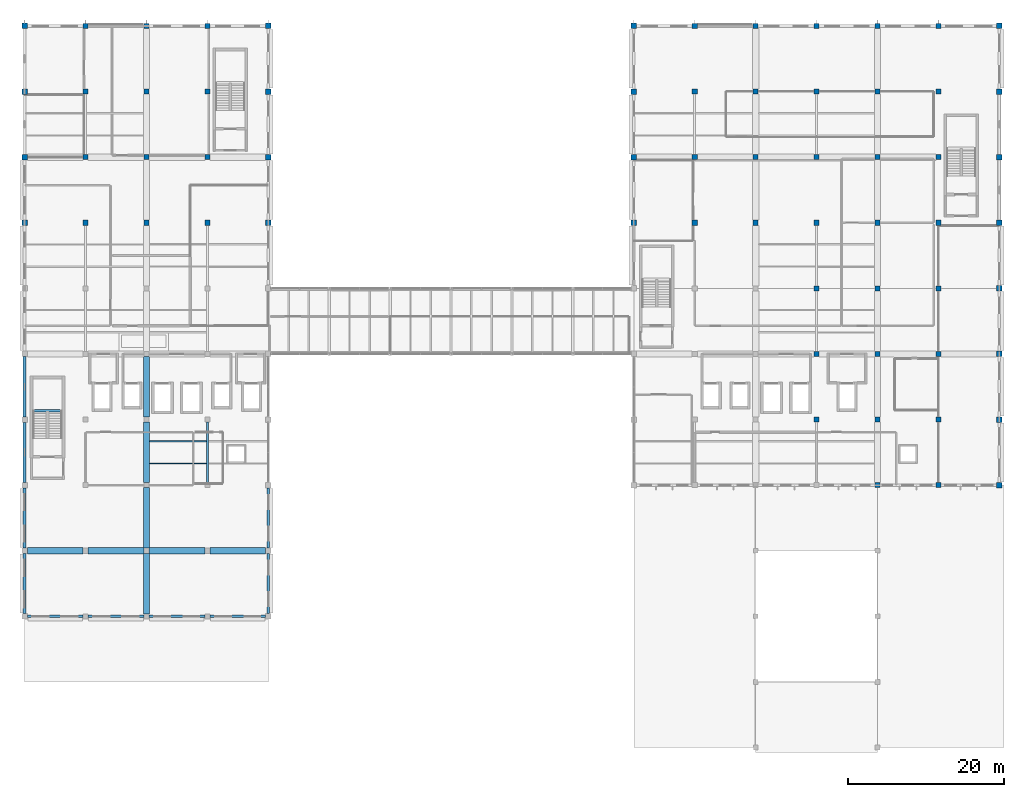
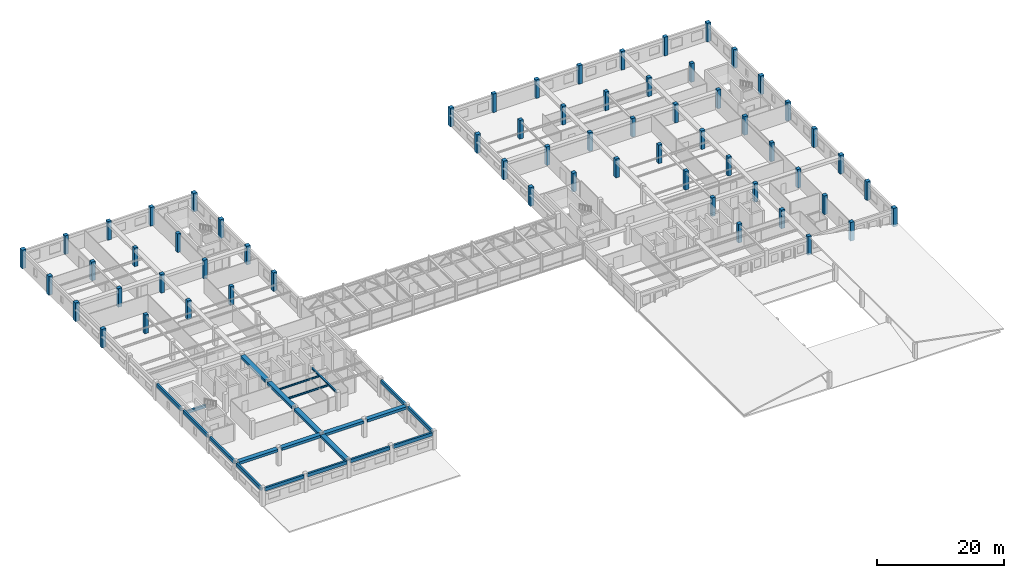
# One storey, part 5 of 49: 63 columns, 22 beams.
"""IFC4 building model written with IfcOpenShell, lengths in metres."""

from ifc_helpers import new_model, si_unit, direction, frame, origin, origin_2d, place, context, subcontext, project, spatial, rectangle, i_section, extrude, material, material_profile, profile_set, type_object, element, save


model = new_model("IFC4")

# Units and contexts
model_context = context("Model", 3, precision=1e-05, world=origin(), true_north=direction((0.0, 1.0)))
body_context = subcontext(model_context, "Body", "Model", "MODEL_VIEW")
ifc_project = project(units=[si_unit("LENGTHUNIT", "METRE"), si_unit("AREAUNIT", "SQUARE_METRE"), si_unit("VOLUMEUNIT", "CUBIC_METRE"), si_unit("PLANEANGLEUNIT", "RADIAN"), si_unit("MASSUNIT", "GRAM", prefix="KILO"), si_unit("THERMODYNAMICTEMPERATUREUNIT", "KELVIN"), si_unit("POWERUNIT", "WATT")], contexts=[model_context])

# Site, building, storey
site_placement = place(None, origin())
site = spatial("IfcSite", under=ifc_project, at=site_placement, CompositionType="ELEMENT")
building_placement = place(site_placement, origin())
building = spatial("IfcBuilding", under=site, at=building_placement, Name="Srebrne Nadtorze General Hospital", CompositionType="ELEMENT")
storey_placement = place(building_placement, frame((0.0, 0.0, 26.10009765625)))
storey = spatial("IfcBuildingStorey", under=building, at=storey_placement, Name="L06", CompositionType="ELEMENT", Elevation=26.10009765625)

# Columns
ifc_material_1 = material(Name="Concrete C35/45", Category="concrete")
ifc_material_profile_1 = material_profile(ifc_material_1, rectangle(XDim=0.64990234375, YDim=0.64990234375, at=origin_2d()), Name="RC-COL-650x650")
ifc_profile_set_1 = profile_set([ifc_material_profile_1], Name="Concrete C35/45")
column_type_1 = type_object("IfcColumnType", Name="Reinforced concrete column 650x650", PredefinedType="COLUMN", material=ifc_profile_set_1)
for number, where, z_axis, x_axis, name in (
    (1, (31.199951171875, 67.199951171875, 0.0), (0.0, 0.0, 1.0), (1.0, 0.0, 0.0), "Column CL-L06-5-J"),
    (2, (31.199951171875, 75.60009765625, 0.0), (0.0, 0.0, 1.0), (1.0, 0.0, 0.0), "Column CL-L06-5-K"),
    (3, (31.199951171875, 84.0, 0.0), (0.0, 0.0, 1.0), (1.0, 0.0, 0.0), "Column CL-L06-5-L"),
    (4, (31.199951171875, 92.39990234375, 0.0), (0.0, 0.0, 1.0), (1.0, 0.0, 0.0), "Column CL-L06-5-M"),
    (5, (39.0, 67.199951171875, 0.0), (0.0, 0.0, 1.0), (1.0, 0.0, 0.0), "Column CL-L06-6-J"),
    (6, (39.0, 75.60009765625, 0.0), (0.0, 0.0, 1.0), (1.0, 0.0, 0.0), "Column CL-L06-6-K"),
    (7, (39.0, 84.0, 0.0), (0.0, 0.0, 1.0), (1.0, 0.0, 0.0), "Column CL-L06-6-L"),
    (8, (39.0, 92.39990234375, 0.0), (0.0, 0.0, 1.0), (1.0, 0.0, 0.0), "Column CL-L06-6-M"),
    (9, (46.800048828125, 67.199951171875, 0.0), (0.0, 0.0, 1.0), (1.0, 0.0, 0.0), "Column CL-L06-7-J"),
    (10, (46.800048828125, 75.60009765625, 0.0), (0.0, 0.0, 1.0), (1.0, 0.0, 0.0), "Column CL-L06-7-K"),
    (11, (46.800048828125, 84.0, 0.0), (0.0, 0.0, 1.0), (1.0, 0.0, 0.0), "Column CL-L06-7-L"),
    (12, (46.800048828125, 92.39990234375, 0.0), (0.0, 0.0, 1.0), (1.0, 0.0, 0.0), "Column CL-L06-7-M"),
    (13, (109.199951171875, 67.199951171875, 0.0), (0.0, 0.0, 1.0), (1.0, 0.0, 0.0), "Column CL-L06-15-J"),
    (14, (109.199951171875, 75.60009765625, 0.0), (0.0, 0.0, 1.0), (1.0, 0.0, 0.0), "Column CL-L06-15-K"),
    (15, (109.199951171875, 84.0, 0.0), (0.0, 0.0, 1.0), (1.0, 0.0, 0.0), "Column CL-L06-15-L"),
    (16, (109.199951171875, 92.39990234375, 0.0), (0.0, 0.0, 1.0), (1.0, 0.0, 0.0), "Column CL-L06-15-M"),
    (17, (117.0, 67.199951171875, 0.0), (0.0, 0.0, 1.0), (1.0, 0.0, 0.0), "Column CL-L06-16-J"),
    (18, (117.0, 75.60009765625, 0.0), (0.0, 0.0, 1.0), (1.0, 0.0, 0.0), "Column CL-L06-16-K"),
    (19, (117.0, 84.0, 0.0), (0.0, 0.0, 1.0), (1.0, 0.0, 0.0), "Column CL-L06-16-L"),
    (20, (117.0, 92.39990234375, 0.0), (0.0, 0.0, 1.0), (1.0, 0.0, 0.0), "Column CL-L06-16-M"),
    (21, (124.800048828125, 42.0, 0.0), (0.0, 0.0, 1.0), (1.0, 0.0, 0.0), "Column CL-L06-17-F"),
    (22, (124.800048828125, 50.39990234375, 0.0), (0.0, 0.0, 1.0), (1.0, 0.0, 0.0), "Column CL-L06-17-G"),
    (23, (124.800048828125, 58.800048828125, 0.0), (0.0, 0.0, 1.0), (1.0, 0.0, 0.0), "Column CL-L06-17-H"),
    (24, (124.800048828125, 67.199951171875, 0.0), (0.0, 0.0, 1.0), (1.0, 0.0, 0.0), "Column CL-L06-17-J"),
    (25, (124.800048828125, 75.60009765625, 0.0), (0.0, 0.0, 1.0), (1.0, 0.0, 0.0), "Column CL-L06-17-K"),
    (26, (124.800048828125, 84.0, 0.0), (0.0, 0.0, 1.0), (1.0, 0.0, 0.0), "Column CL-L06-17-L"),
    (27, (124.800048828125, 92.39990234375, 0.0), (0.0, 0.0, 1.0), (1.0, 0.0, 0.0), "Column CL-L06-17-M"),
    (28, (132.60009765625, 33.60009765625, 0.0), (0.0, 0.0, 1.0), (1.0, 0.0, 0.0), "Column CL-L06-18-E"),
    (29, (132.60009765625, 42.0, 0.0), (0.0, 0.0, 1.0), (1.0, 0.0, 0.0), "Column CL-L06-18-F"),
    (30, (132.60009765625, 50.39990234375, 0.0), (0.0, 0.0, 1.0), (1.0, 0.0, 0.0), "Column CL-L06-18-G"),
    (31, (132.60009765625, 58.800048828125, 0.0), (0.0, 0.0, 1.0), (1.0, 0.0, 0.0), "Column CL-L06-18-H"),
    (32, (132.60009765625, 67.199951171875, 0.0), (0.0, 0.0, 1.0), (1.0, 0.0, 0.0), "Column CL-L06-18-J"),
    (33, (132.60009765625, 75.60009765625, 0.0), (0.0, 0.0, 1.0), (1.0, 0.0, 0.0), "Column CL-L06-18-K"),
    (34, (132.60009765625, 84.0, 0.0), (0.0, 0.0, 1.0), (1.0, 0.0, 0.0), "Column CL-L06-18-L"),
    (35, (132.60009765625, 92.39990234375, 0.0), (0.0, 0.0, 1.0), (1.0, 0.0, 0.0), "Column CL-L06-18-M"),
    (36, (140.39990234375, 33.60009765625, 0.0), (0.0, 0.0, 1.0), (1.0, 0.0, 0.0), "Column CL-L06-19-E"),
    (37, (140.39990234375, 42.0, 0.0), (0.0, 0.0, 1.0), (1.0, 0.0, 0.0), "Column CL-L06-19-F"),
    (38, (140.39990234375, 50.39990234375, 0.0), (0.0, 0.0, 1.0), (1.0, 0.0, 0.0), "Column CL-L06-19-G"),
    (39, (140.39990234375, 58.800048828125, 0.0), (0.0, 0.0, 1.0), (1.0, 0.0, 0.0), "Column CL-L06-19-H"),
    (40, (140.39990234375, 67.199951171875, 0.0), (0.0, 0.0, 1.0), (1.0, 0.0, 0.0), "Column CL-L06-19-J"),
    (41, (140.39990234375, 75.60009765625, 0.0), (0.0, 0.0, 1.0), (1.0, 0.0, 0.0), "Column CL-L06-19-K"),
    (42, (140.39990234375, 84.0, 0.0), (0.0, 0.0, 1.0), (1.0, 0.0, 0.0), "Column CL-L06-19-L"),
    (43, (140.39990234375, 92.39990234375, 0.0), (0.0, 0.0, 1.0), (1.0, 0.0, 0.0), "Column CL-L06-19-M"),
):
    element("IfcColumn", number, at=place(storey_placement, frame(where, z_axis=z_axis, x_axis=x_axis)), inside=storey, type_object=column_type_1, Name=name, PredefinedType="COLUMN", context=body_context, shape_type="SweptSolid", body=[
        extrude(rectangle(XDim=0.64990234375, YDim=0.64990234375, at=origin_2d()), origin(), (0.0, 0.0, 1.0), 3.599853515625),
    ])
ifc_material_2 = material(Name="Concrete C40/50", Category="concrete")
ifc_material_profile_2 = material_profile(ifc_material_2, rectangle(XDim=0.699951171875, YDim=0.699951171875, at=origin_2d()), Name="RC-COL-700x700")
ifc_profile_set_2 = profile_set([ifc_material_profile_2], Name="Concrete C40/50")
column_type_2 = type_object("IfcColumnType", Name="Reinforced concrete column 700x700", PredefinedType="COLUMN", material=ifc_profile_set_2)
for number, where, z_axis, x_axis, name in (
    (44, (23.39990234375, 67.199951171875, 0.0), (0.0, 0.0, 1.0), (1.0, 0.0, 0.0), "Column CL-L06-4-J"),
    (45, (23.39990234375, 75.60009765625, 0.0), (0.0, 0.0, 1.0), (1.0, 0.0, 0.0), "Column CL-L06-4-K"),
    (46, (23.39990234375, 84.0, 0.0), (0.0, 0.0, 1.0), (1.0, 0.0, 0.0), "Column CL-L06-4-L"),
    (47, (23.39990234375, 92.39990234375, 0.0), (0.0, 0.0, 1.0), (1.0, 0.0, 0.0), "Column CL-L06-4-M"),
    (48, (54.60009765625, 67.199951171875, 0.0), (0.0, 0.0, 1.0), (1.0, 0.0, 0.0), "Column CL-L06-8-J"),
    (49, (54.60009765625, 75.60009765625, 0.0), (0.0, 0.0, 1.0), (1.0, 0.0, 0.0), "Column CL-L06-8-K"),
    (50, (54.60009765625, 84.0, 0.0), (0.0, 0.0, 1.0), (1.0, 0.0, 0.0), "Column CL-L06-8-L"),
    (51, (54.60009765625, 92.39990234375, 0.0), (0.0, 0.0, 1.0), (1.0, 0.0, 0.0), "Column CL-L06-8-M"),
    (52, (101.39990234375, 67.199951171875, 0.0), (0.0, 0.0, 1.0), (1.0, 0.0, 0.0), "Column CL-L06-14-J"),
    (53, (101.39990234375, 75.60009765625, 0.0), (0.0, 0.0, 1.0), (1.0, 0.0, 0.0), "Column CL-L06-14-K"),
    (54, (101.39990234375, 84.0, 0.0), (0.0, 0.0, 1.0), (1.0, 0.0, 0.0), "Column CL-L06-14-L"),
    (55, (101.39990234375, 92.39990234375, 0.0), (0.0, 0.0, 1.0), (1.0, 0.0, 0.0), "Column CL-L06-14-M"),
    (56, (148.199951171875, 33.60009765625, 0.0), (0.0, 0.0, 1.0), (1.0, 0.0, 0.0), "Column CL-L06-20-E"),
    (57, (148.199951171875, 42.0, 0.0), (0.0, 0.0, 1.0), (1.0, 0.0, 0.0), "Column CL-L06-20-F"),
    (58, (148.199951171875, 50.39990234375, 0.0), (0.0, 0.0, 1.0), (1.0, 0.0, 0.0), "Column CL-L06-20-G"),
    (59, (148.199951171875, 58.800048828125, 0.0), (0.0, 0.0, 1.0), (1.0, 0.0, 0.0), "Column CL-L06-20-H"),
    (60, (148.199951171875, 67.199951171875, 0.0), (0.0, 0.0, 1.0), (1.0, 0.0, 0.0), "Column CL-L06-20-J"),
    (61, (148.199951171875, 75.60009765625, 0.0), (0.0, 0.0, 1.0), (1.0, 0.0, 0.0), "Column CL-L06-20-K"),
    (62, (148.199951171875, 84.0, 0.0), (0.0, 0.0, 1.0), (1.0, 0.0, 0.0), "Column CL-L06-20-L"),
    (63, (148.199951171875, 92.39990234375, 0.0), (0.0, 0.0, 1.0), (1.0, 0.0, 0.0), "Column CL-L06-20-M"),
):
    element("IfcColumn", number, at=place(storey_placement, frame(where, z_axis=z_axis, x_axis=x_axis)), inside=storey, type_object=column_type_2, Name=name, PredefinedType="COLUMN", context=body_context, shape_type="SweptSolid", body=[
        extrude(rectangle(XDim=0.699951171875, YDim=0.699951171875, at=origin_2d()), origin(), (0.0, 0.0, 1.0), 3.599853515625),
    ])

# Beams
ifc_material_3 = material(Name="Steel S355J2", Category="steel")
ifc_material_profile_3 = material_profile(ifc_material_3, i_section(OverallWidth=0.159912109375, OverallDepth=0.330078125, WebThickness=0.007568359375, FlangeThickness=0.011474609375, FilletRadius=0.01806640625, at=origin_2d()), Name="IPE-330")
ifc_profile_set_3 = profile_set([ifc_material_profile_3], Name="Steel S355J2")
beam_type_1 = type_object("IfcBeamType", Name="Deck joist IPE 330", PredefinedType="JOIST", material=ifc_profile_set_3)
beam_1_placement = place(storey_placement, frame((39.39501953125, 39.22802734375, 3.135009765625), z_axis=(1.0, 0.0, 0.0), x_axis=(0.0, 1.0, 0.0)))
element("IfcBeam", 64, at=beam_1_placement, inside=storey, type_object=beam_type_1, Name="Interstitial deck joist SJ-L06-0119", PredefinedType="JOIST", context=body_context, shape_type="SweptSolid", body=[
    extrude(i_section(OverallWidth=0.159912109375, OverallDepth=0.330078125, WebThickness=0.007568359375, FlangeThickness=0.011474609375, FilletRadius=0.01806640625, at=origin_2d()), origin(), (0.0, 0.0, 1.0), 7.27001953125),
])
ifc_material_4 = material(Name="Steel S355J2", Category="steel")
ifc_material_profile_4 = material_profile(ifc_material_4, i_section(OverallWidth=0.169921875, OverallDepth=0.360107421875, WebThickness=0.008056640625, FlangeThickness=0.0126953125, FilletRadius=0.01806640625, at=origin_2d()), Name="IPE-360")
ifc_profile_set_4 = profile_set([ifc_material_profile_4], Name="Steel S355J2")
beam_type_2 = type_object("IfcBeamType", Name="Deck joist IPE 360", PredefinedType="JOIST", material=ifc_profile_set_4)
beam_2_placement = place(storey_placement, frame((39.39501953125, 36.3720703125, 3.119873046875), z_axis=(1.0, 0.0, 0.0), x_axis=(0.0, 1.0, 0.0)))
element("IfcBeam", 65, at=beam_2_placement, inside=storey, type_object=beam_type_2, Name="Interstitial deck joist SJ-L06-0118", PredefinedType="JOIST", context=body_context, shape_type="SweptSolid", body=[
    extrude(i_section(OverallWidth=0.169921875, OverallDepth=0.360107421875, WebThickness=0.008056640625, FlangeThickness=0.0126953125, FilletRadius=0.01806640625, at=origin_2d()), origin(), (0.0, 0.0, 1.0), 7.27001953125),
])
ifc_material_5 = material(Name="Concrete C35/45", Category="concrete")
ifc_material_profile_5 = material_profile(ifc_material_5, rectangle(XDim=0.35009765625, YDim=0.64990234375, at=origin_2d()), Name="RC-BM-350x650")
ifc_profile_set_5 = profile_set([ifc_material_profile_5], Name="Concrete C35/45")
beam_type_3 = type_object("IfcBeamType", Name="Edge beam RC 350x650", PredefinedType="BEAM", material=ifc_profile_set_5)
beam_3_placement = place(storey_placement, frame((23.75, 16.800048828125, 2.974853515625), z_axis=(1.0, 0.0, 0.0), x_axis=(0.0, 1.0, 0.0)))
element("IfcBeam", 66, at=beam_3_placement, inside=storey, type_object=beam_type_3, Name="Beam BM-L06-X-1136", PredefinedType="BEAM", context=body_context, shape_type="SweptSolid", body=[
    extrude(rectangle(XDim=0.35009765625, YDim=0.64990234375, at=origin_2d()), origin(), (0.0, 0.0, 1.0), 7.125),
])
for number, where, z_axis, x_axis, name in (
    (67, (31.52490234375, 16.800048828125, 2.974853515625), (1.0, 0.0, 0.0), (0.0, 1.0, 0.0), "Beam BM-L06-X-1137"),
    (68, (39.324951171875, 16.800048828125, 2.974853515625), (1.0, 0.0, 0.0), (0.0, 1.0, 0.0), "Beam BM-L06-X-1138"),
):
    element("IfcBeam", number, at=place(storey_placement, frame(where, z_axis=z_axis, x_axis=x_axis)), inside=storey, type_object=beam_type_3, Name=name, PredefinedType="BEAM", context=body_context, shape_type="SweptSolid", body=[
        extrude(rectangle(XDim=0.35009765625, YDim=0.64990234375, at=origin_2d()), origin(), (0.0, 0.0, 1.0), 7.150146484375),
    ])
beam_4_placement = place(storey_placement, frame((47.125, 16.800048828125, 2.974853515625), z_axis=(1.0, 0.0, 0.0), x_axis=(0.0, 1.0, 0.0)))
element("IfcBeam", 69, at=beam_4_placement, inside=storey, type_object=beam_type_3, Name="Beam BM-L06-X-1139", PredefinedType="BEAM", context=body_context, shape_type="SweptSolid", body=[
    extrude(rectangle(XDim=0.35009765625, YDim=0.64990234375, at=origin_2d()), origin(), (0.0, 0.0, 1.0), 7.125),
])
beam_5_placement = place(storey_placement, frame((23.39990234375, 17.14990234375, 2.974853515625), z_axis=(0.0, 1.0, 0.0), x_axis=(-1.0, 0.0, 0.0)))
element("IfcBeam", 70, at=beam_5_placement, inside=storey, type_object=beam_type_3, Name="Beam BM-L06-Y-1191", PredefinedType="BEAM", context=body_context, shape_type="SweptSolid", body=[
    extrude(rectangle(XDim=0.35009765625, YDim=0.64990234375, at=origin_2d()), origin(), (0.0, 0.0, 1.0), 7.7001953125),
])
for number, where, z_axis, x_axis, name in (
    (71, (23.39990234375, 25.550048828125, 2.974853515625), (0.0, 1.0, 0.0), (-1.0, 0.0, 0.0), "Beam BM-L06-Y-1192"),
    (72, (23.39990234375, 33.949951171875, 2.974853515625), (0.0, 1.0, 0.0), (-1.0, 0.0, 0.0), "Beam BM-L06-Y-1193"),
    (73, (23.39990234375, 42.35009765625, 2.974853515625), (0.0, 1.0, 0.0), (-1.0, 0.0, 0.0), "Beam BM-L06-Y-1194"),
):
    element("IfcBeam", number, at=place(storey_placement, frame(where, z_axis=z_axis, x_axis=x_axis)), inside=storey, type_object=beam_type_3, Name=name, PredefinedType="BEAM", context=body_context, shape_type="SweptSolid", body=[
        extrude(rectangle(XDim=0.35009765625, YDim=0.64990234375, at=origin_2d()), origin(), (0.0, 0.0, 1.0), 7.699951171875),
    ])
beam_6_placement = place(storey_placement, frame((54.60009765625, 17.14990234375, 2.974853515625), z_axis=(0.0, 1.0, 0.0), x_axis=(-1.0, 0.0, 0.0)))
element("IfcBeam", 74, at=beam_6_placement, inside=storey, type_object=beam_type_3, Name="Beam BM-L06-Y-1209", PredefinedType="BEAM", context=body_context, shape_type="SweptSolid", body=[
    extrude(rectangle(XDim=0.35009765625, YDim=0.64990234375, at=origin_2d()), origin(), (0.0, 0.0, 1.0), 7.7001953125),
])
beam_7_placement = place(storey_placement, frame((54.60009765625, 25.550048828125, 2.974853515625), z_axis=(0.0, 1.0, 0.0), x_axis=(-1.0, 0.0, 0.0)))
element("IfcBeam", 75, at=beam_7_placement, inside=storey, type_object=beam_type_3, Name="Beam BM-L06-Y-1210", PredefinedType="BEAM", context=body_context, shape_type="SweptSolid", body=[
    extrude(rectangle(XDim=0.35009765625, YDim=0.64990234375, at=origin_2d()), origin(), (0.0, 0.0, 1.0), 7.699951171875),
])
ifc_material_6 = material(Name="Steel S355J2", Category="steel")
ifc_material_profile_6 = material_profile(ifc_material_6, i_section(OverallWidth=0.280029296875, OverallDepth=0.280029296875, WebThickness=0.010498046875, FlangeThickness=0.01806640625, FilletRadius=0.02392578125, at=origin_2d()), Name="HEB-280")
ifc_profile_set_6 = profile_set([ifc_material_profile_6], Name="Steel S355J2")
beam_type_4 = type_object("IfcBeamType", Name="Primary beam HEB 280", PredefinedType="BEAM", material=ifc_profile_set_6)
beam_8_placement = place(storey_placement, frame((46.800048828125, 33.925048828125, 3.159912109375), z_axis=(0.0, 1.0, 0.0), x_axis=(-1.0, 0.0, 0.0)))
element("IfcBeam", 76, at=beam_8_placement, inside=storey, type_object=beam_type_4, Name="Interstitial steel beam SB-L06-0097", PredefinedType="BEAM", context=body_context, shape_type="SweptSolid", body=[
    extrude(i_section(OverallWidth=0.280029296875, OverallDepth=0.280029296875, WebThickness=0.010498046875, FlangeThickness=0.01806640625, FilletRadius=0.02392578125, at=origin_2d()), origin(), (0.0, 0.0, 1.0), 7.75),
])
ifc_material_7 = material(Name="Concrete C40/50", Category="concrete")
ifc_material_profile_7 = material_profile(ifc_material_7, rectangle(XDim=0.800048828125, YDim=0.5, at=origin_2d()), Name="RC-BM-800x500")
ifc_profile_set_7 = profile_set([ifc_material_profile_7], Name="Concrete C40/50")
beam_type_5 = type_object("IfcBeamType", Name="Primary beam RC 800x500", PredefinedType="BEAM", material=ifc_profile_set_7)
beam_9_placement = place(storey_placement, frame((23.75, 25.199951171875, 3.0498046875), z_axis=(1.0, 0.0, 0.0), x_axis=(0.0, 1.0, 0.0)))
element("IfcBeam", 77, at=beam_9_placement, inside=storey, type_object=beam_type_5, Name="Beam BM-L06-X-1140", PredefinedType="BEAM", context=body_context, shape_type="SweptSolid", body=[
    extrude(rectangle(XDim=0.800048828125, YDim=0.5, at=origin_2d()), origin(), (0.0, 0.0, 1.0), 7.125),
])
for number, where, z_axis, x_axis, name in (
    (78, (31.52490234375, 25.199951171875, 3.0498046875), (1.0, 0.0, 0.0), (0.0, 1.0, 0.0), "Beam BM-L06-X-1141"),
    (79, (39.324951171875, 25.199951171875, 3.0498046875), (1.0, 0.0, 0.0), (0.0, 1.0, 0.0), "Beam BM-L06-X-1142"),
):
    element("IfcBeam", number, at=place(storey_placement, frame(where, z_axis=z_axis, x_axis=x_axis)), inside=storey, type_object=beam_type_5, Name=name, PredefinedType="BEAM", context=body_context, shape_type="SweptSolid", body=[
        extrude(rectangle(XDim=0.800048828125, YDim=0.5, at=origin_2d()), origin(), (0.0, 0.0, 1.0), 7.150146484375),
    ])
beam_10_placement = place(storey_placement, frame((47.125, 25.199951171875, 3.0498046875), z_axis=(1.0, 0.0, 0.0), x_axis=(0.0, 1.0, 0.0)))
element("IfcBeam", 80, at=beam_10_placement, inside=storey, type_object=beam_type_5, Name="Beam BM-L06-X-1143", PredefinedType="BEAM", context=body_context, shape_type="SweptSolid", body=[
    extrude(rectangle(XDim=0.800048828125, YDim=0.5, at=origin_2d()), origin(), (0.0, 0.0, 1.0), 7.125),
])
for number, where, z_axis, x_axis, name in (
    (81, (39.0, 17.125, 3.0498046875), (0.0, 1.0, 0.0), (-1.0, 0.0, 0.0), "Beam BM-L06-Y-1200"),
    (82, (39.0, 25.52490234375, 3.0498046875), (0.0, 1.0, 0.0), (-1.0, 0.0, 0.0), "Beam BM-L06-Y-1201"),
    (83, (39.0, 33.925048828125, 3.0498046875), (0.0, 1.0, 0.0), (-1.0, 0.0, 0.0), "Beam BM-L06-Y-1202"),
    (84, (39.0, 42.324951171875, 3.0498046875), (0.0, 1.0, 0.0), (-1.0, 0.0, 0.0), "Beam BM-L06-Y-1203"),
):
    element("IfcBeam", number, at=place(storey_placement, frame(where, z_axis=z_axis, x_axis=x_axis)), inside=storey, type_object=beam_type_5, Name=name, PredefinedType="BEAM", context=body_context, shape_type="SweptSolid", body=[
        extrude(rectangle(XDim=0.800048828125, YDim=0.5, at=origin_2d()), origin(), (0.0, 0.0, 1.0), 7.75),
    ])
ifc_material_8 = material(Name="Concrete C35/45", Category="concrete")
ifc_material_profile_8 = material_profile(ifc_material_8, rectangle(XDim=0.35009765625, YDim=0.550048828125, at=origin_2d()), Name="RC-BM-350x550")
ifc_profile_set_8 = profile_set([ifc_material_profile_8], Name="Concrete C35/45")
beam_type_6 = type_object("IfcBeamType", Name="Spandrel lintel beam RC 350x550", PredefinedType="LINTEL", material=ifc_profile_set_8)
beam_11_placement = place(storey_placement, frame((24.449951171875, 43.1201171875, 1.52490234375), z_axis=(1.0, 0.0, 0.0), x_axis=(0.0, 1.0, 0.0)))
element("IfcBeam", 85, at=beam_11_placement, inside=storey, type_object=beam_type_6, Name="Stair landing header beam ST-01 L06", PredefinedType="LINTEL", context=body_context, shape_type="SweptSolid", body=[
    extrude(rectangle(XDim=0.35009765625, YDim=0.550048828125, at=origin_2d()), origin(), (0.0, 0.0, 1.0), 3.75),
])

save(model, "model.ifc")
